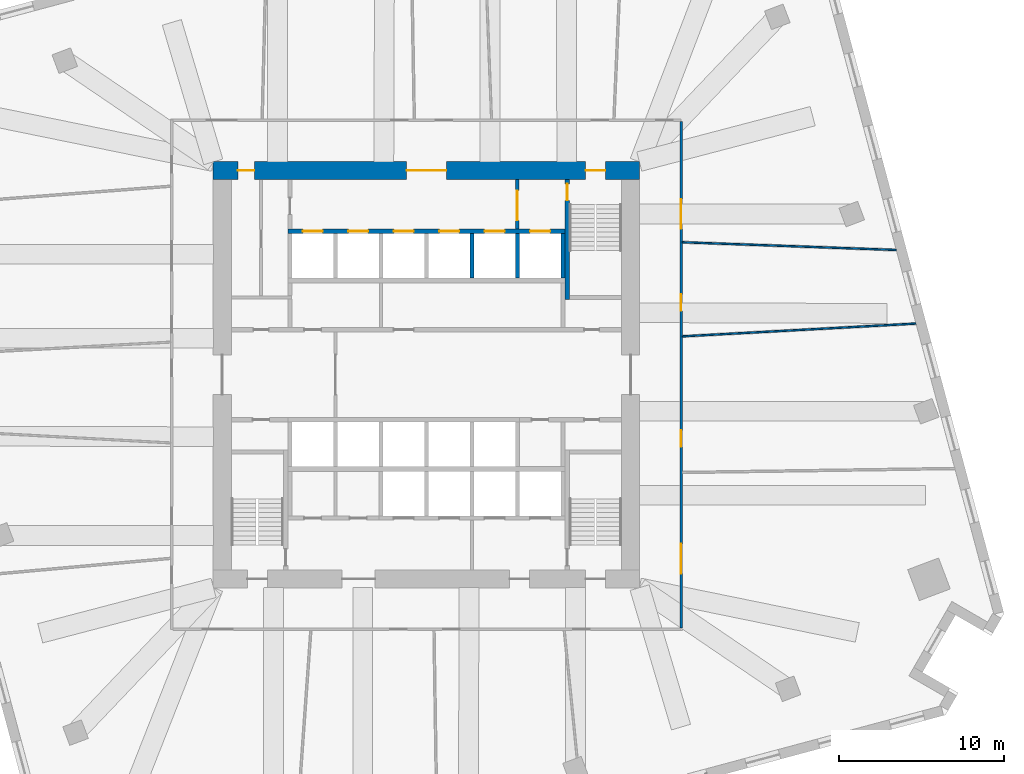
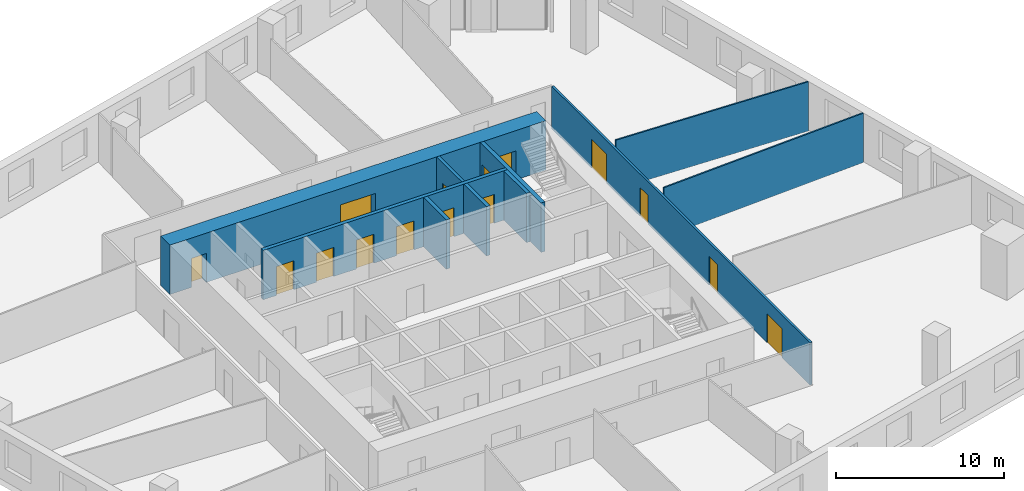
# One storey, part 7 of 11: 15 doors, 10 walls, 15 openings.
"""IFC4 building model written with IfcOpenShell, lengths in metres."""

from ifc_helpers import new_model, si_unit, direction, frame, frame_2d, origin, place, context, subcontext, project, spatial, rectangle, extrude, material, layer, layer_set, type_object, element, fill, save


model = new_model("IFC4")

# Units and contexts
model_context = context("Model", 3, precision=1e-05, world=origin(), true_north=direction((0.0, 1.0)))
body_context = subcontext(model_context, "Body", "Model", "MODEL_VIEW")
ifc_project = project(units=[si_unit("LENGTHUNIT", "METRE"), si_unit("AREAUNIT", "SQUARE_METRE"), si_unit("VOLUMEUNIT", "CUBIC_METRE"), si_unit("PLANEANGLEUNIT", "RADIAN"), si_unit("MASSUNIT", "GRAM", prefix="KILO")], contexts=[model_context])

# Site, building, storey
site_placement = place(None, origin())
site = spatial("IfcSite", under=ifc_project, at=site_placement, CompositionType="ELEMENT")
building_placement = place(site_placement, origin())
building = spatial("IfcBuilding", under=site, at=building_placement, Name="Dilmun Exchange Tower", CompositionType="ELEMENT")
storey_placement = place(building_placement, frame((0.0, 0.0, 82.10009765625)))
storey = spatial("IfcBuildingStorey", under=building, at=storey_placement, Name="L18", CompositionType="ELEMENT", Elevation=82.10009765625)

# Wall, opening, door
ifc_material_1 = material(Name="Concrete C40/50", Category="concrete")
ifc_layer_1 = layer(ifc_material_1, 0.199951171875)
ifc_layer_set_1 = layer_set([ifc_layer_1], Name="Concrete C40/50")
wall_type_1 = type_object("IfcWallType", Name="Core partition wall 200", PredefinedType="PARTITIONING", material=ifc_layer_set_1)
wall_1_placement = place(storey_placement, frame((5.5, 8.804931640625, 0.0), z_axis=(0.0, 0.0, 1.0), x_axis=(0.0, 1.0, 0.0)))
wall_1 = element("IfcWall", 1, at=wall_1_placement, inside=storey, type_object=wall_type_1, Name="L18 core partition wall 17", PredefinedType="PARTITIONING", context=body_context, shape_type="SweptSolid", body=[
    extrude(rectangle(XDim=2.989990234375, YDim=0.199951171875, at=frame_2d((1.4951171875, 0.0))), origin(), (0.0, 0.0, 1.0), 3.579833984375),
])
opening_1_placement = place(wall_1_placement, frame((0.532470703125, 0.0, 0.0)))
opening_1 = element("IfcOpeningElement", 2, at=opening_1_placement, cuts=wall_1, Name="Opening CD5", PredefinedType="OPENING", context=body_context, shape_type="SweptSolid", body=[
    extrude(rectangle(XDim=1.800048828125, YDim=2.10009765625, at=frame_2d((0.89990234375, 1.050048828125))), frame((0.0, 0.10986328125, 0.0), z_axis=(0.0, -1.0, 0.0), x_axis=(1.0, 0.0, 0.0)), (0.0, 0.0, 1.0), 0.219970703125),
])
ifc_material_2 = material(Name="Fire-rated steel door set", Category="steel")
door_type_1 = type_object("IfcDoorType", Name="Stair exit door 1800x2100", OperationType="SINGLE_SWING_LEFT", PredefinedType="DOOR", material=ifc_material_2)
door_1_placement = place(opening_1_placement, origin())
door_1 = element("IfcDoor", 3, at=door_1_placement, inside=storey, type_object=door_type_1, Name="L18 door Lift lobby east", OperationType="SINGLE_SWING_LEFT", OverallHeight=2.10009765625, OverallWidth=1.800048828125, PredefinedType="DOOR", context=body_context, shape_type="SweptSolid", body=[
    extrude(rectangle(XDim=1.800048828125, YDim=2.10009765625, at=frame_2d((0.89990234375, 1.050048828125))), frame((0.0, 0.02490234375, 0.0), z_axis=(0.0, -1.0, 0.0), x_axis=(1.0, 0.0, 0.0)), (0.0, 0.0, 1.0), 0.050048828125),
])
fill(opening_1, door_1)

# Wall, openings, doors
ifc_material_3 = material(Name="Concrete C80/95", Category="concrete")
ifc_layer_2 = layer(ifc_material_3, 1.10009765625)
ifc_layer_set_2 = layer_set([ifc_layer_2], Name="Concrete C80/95")
wall_type_2 = type_object("IfcWallType", Name="Core shear wall 1100 Concrete C80/95", PredefinedType="SHEAR", material=ifc_layer_set_2)
wall_2_placement = place(storey_placement, frame((-12.89990234375, 12.35009765625, 0.0), z_axis=(0.0, 0.0, 1.0), x_axis=(1.0, 0.0, 0.0)))
wall_2 = element("IfcWall", 4, at=wall_2_placement, inside=storey, type_object=wall_type_2, Name="L18 core shear wall N", PredefinedType="SHEAR", context=body_context, shape_type="SweptSolid", body=[
    extrude(rectangle(XDim=25.7998046875, YDim=1.10009765625, at=frame_2d((12.89990234375, 0.0))), origin(), (0.0, 0.0, 1.0), 3.579833984375),
])
opening_2_placement = place(wall_2_placement, frame((11.699951171875, 0.0, 0.0)))
opening_2 = element("IfcOpeningElement", 5, at=opening_2_placement, cuts=wall_2, Name="Opening CD1", PredefinedType="OPENING", context=body_context, shape_type="SweptSolid", body=[
    extrude(rectangle(XDim=2.39990234375, YDim=2.39990234375, at=frame_2d((1.199951171875, 1.199951171875))), frame((0.0, 0.56005859375, 0.0), z_axis=(0.0, -1.0, 0.0), x_axis=(1.0, 0.0, 0.0)), (0.0, 0.0, 1.0), 1.1201171875),
])
opening_3_placement = place(wall_2_placement, frame((22.52490234375, 0.0, 0.0)))
opening_3 = element("IfcOpeningElement", 6, at=opening_3_placement, cuts=wall_2, Name="Opening CD3", PredefinedType="OPENING", context=body_context, shape_type="SweptSolid", body=[
    extrude(rectangle(XDim=1.199951171875, YDim=2.10009765625, at=frame_2d((0.60009765625, 1.050048828125))), frame((0.0, 0.56005859375, 0.0), z_axis=(0.0, -1.0, 0.0), x_axis=(1.0, 0.0, 0.0)), (0.0, 0.0, 1.0), 1.1201171875),
])
opening_4_placement = place(wall_2_placement, frame((1.5, 0.0, 0.0)))
opening_4 = element("IfcOpeningElement", 7, at=opening_4_placement, cuts=wall_2, Name="Opening CD4", PredefinedType="OPENING", context=body_context, shape_type="SweptSolid", body=[
    extrude(rectangle(XDim=1.0, YDim=2.10009765625, at=frame_2d((0.5, 1.050048828125))), frame((0.0, 0.56005859375, 0.0), z_axis=(0.0, -1.0, 0.0), x_axis=(1.0, 0.0, 0.0)), (0.0, 0.0, 1.0), 1.1201171875),
])
door_type_2 = type_object("IfcDoorType", Name="Core lobby door 2400x2400", OperationType="DOUBLE_DOOR_DOUBLE_SWING", PredefinedType="DOOR", material=ifc_material_2)
door_2_placement = place(opening_2_placement, origin())
door_2 = element("IfcDoor", 8, at=door_2_placement, inside=storey, type_object=door_type_2, Name="L18 door North lift lobby", OperationType="SINGLE_SWING_LEFT", OverallHeight=2.39990234375, OverallWidth=2.39990234375, PredefinedType="DOOR", context=body_context, shape_type="SweptSolid", body=[
    extrude(rectangle(XDim=2.39990234375, YDim=2.39990234375, at=frame_2d((1.199951171875, 1.199951171875))), frame((0.0, 0.02490234375, 0.0), z_axis=(0.0, -1.0, 0.0), x_axis=(1.0, 0.0, 0.0)), (0.0, 0.0, 1.0), 0.050048828125),
])
fill(opening_2, door_2)
door_type_3 = type_object("IfcDoorType", Name="Core room door 1000x2100", OperationType="SINGLE_SWING_LEFT", PredefinedType="DOOR", material=ifc_material_2)
door_3_placement = place(opening_4_placement, origin())
door_3 = element("IfcDoor", 9, at=door_3_placement, inside=storey, type_object=door_type_3, Name="L18 door North-west core rooms", OperationType="SINGLE_SWING_LEFT", OverallHeight=2.10009765625, OverallWidth=1.0, PredefinedType="DOOR", context=body_context, shape_type="SweptSolid", body=[
    extrude(rectangle(XDim=1.0, YDim=2.10009765625, at=frame_2d((0.5, 1.050048828125))), frame((0.0, 0.02490234375, 0.0), z_axis=(0.0, -1.0, 0.0), x_axis=(1.0, 0.0, 0.0)), (0.0, 0.0, 1.0), 0.050048828125),
])
fill(opening_4, door_3)
door_type_4 = type_object("IfcDoorType", Name="Stair exit door 1200x2100", OperationType="SINGLE_SWING_LEFT", PredefinedType="DOOR", material=ifc_material_2)
door_4_placement = place(opening_3_placement, origin())
door_4 = element("IfcDoor", 10, at=door_4_placement, inside=storey, type_object=door_type_4, Name="L18 door Stair ST1", OperationType="SINGLE_SWING_LEFT", OverallHeight=2.10009765625, OverallWidth=1.199951171875, PredefinedType="DOOR", context=body_context, shape_type="SweptSolid", body=[
    extrude(rectangle(XDim=1.199951171875, YDim=2.10009765625, at=frame_2d((0.60009765625, 1.050048828125))), frame((0.0, 0.02490234375, 0.0), z_axis=(0.0, -1.0, 0.0), x_axis=(1.0, 0.0, 0.0)), (0.0, 0.0, 1.0), 0.050048828125),
])
fill(opening_3, door_4)

ifc_material_4 = material(Name="Corridor wall 150")
ifc_layer_3 = layer(ifc_material_4, 0.14990234375)
ifc_layer_set_3 = layer_set([ifc_layer_3], Name="Corridor wall 150")
wall_type_3 = type_object("IfcWallType", Name="Corridor wall 150", PredefinedType="PARTITIONING", material=ifc_layer_set_3)
wall_3_placement = place(storey_placement, frame((15.39990234375, -15.324951171875, 0.0), z_axis=(0.0, 0.0, 1.0), x_axis=(0.0, 1.0, 0.0)))
wall_3 = element("IfcWall", 11, at=wall_3_placement, inside=storey, type_object=wall_type_3, Name="Corridor wall", PredefinedType="PARTITIONING", context=body_context, shape_type="SweptSolid", body=[
    extrude(rectangle(XDim=30.64990234375, YDim=0.14990234375, at=frame_2d((15.324951171875, 0.0))), origin(), (0.0, 0.0, 1.0), 3.079833984375),
])
opening_5_placement = place(wall_3_placement, frame((24.1396484375, 0.0, 0.0)))
opening_5 = element("IfcOpeningElement", 12, at=opening_5_placement, cuts=wall_3, Name="Opening TF18-D14", PredefinedType="OPENING", context=body_context, shape_type="SweptSolid", body=[
    extrude(rectangle(XDim=1.800048828125, YDim=2.10009765625, at=frame_2d((0.89990234375, 1.050048828125))), frame((0.0, 0.0849609375, 0.0), z_axis=(0.0, -1.0, 0.0), x_axis=(1.0, 0.0, 0.0)), (0.0, 0.0, 1.0), 0.169921875),
])
opening_6_placement = place(wall_3_placement, frame((3.300048828125, 0.0, 0.0)))
opening_6 = element("IfcOpeningElement", 13, at=opening_6_placement, cuts=wall_3, Name="Opening TF18-D16", PredefinedType="OPENING", context=body_context, shape_type="SweptSolid", body=[
    extrude(rectangle(XDim=1.800048828125, YDim=2.10009765625, at=frame_2d((0.89990234375, 1.050048828125))), frame((0.0, 0.0849609375, 0.0), z_axis=(0.0, -1.0, 0.0), x_axis=(1.0, 0.0, 0.0)), (0.0, 0.0, 1.0), 0.169921875),
])
opening_7_placement = place(wall_3_placement, frame((19.19091796875, 0.0, 0.0)))
opening_7 = element("IfcOpeningElement", 14, at=opening_7_placement, cuts=wall_3, Name="Opening TF18-D18", PredefinedType="OPENING", context=body_context, shape_type="SweptSolid", body=[
    extrude(rectangle(XDim=1.0, YDim=2.10009765625, at=frame_2d((0.5, 1.050048828125))), frame((0.0, 0.0849609375, 0.0), z_axis=(0.0, -1.0, 0.0), x_axis=(1.0, 0.0, 0.0)), (0.0, 0.0, 1.0), 0.169921875),
])
opening_8_placement = place(wall_3_placement, frame((10.962646484375, 0.0, 0.0)))
opening_8 = element("IfcOpeningElement", 15, at=opening_8_placement, cuts=wall_3, Name="Opening TF18-D19", PredefinedType="OPENING", context=body_context, shape_type="SweptSolid", body=[
    extrude(rectangle(XDim=1.0, YDim=2.10009765625, at=frame_2d((0.5, 1.050048828125))), frame((0.0, 0.0849609375, 0.0), z_axis=(0.0, -1.0, 0.0), x_axis=(1.0, 0.0, 0.0)), (0.0, 0.0, 1.0), 0.169921875),
])
ifc_material_5 = material(Name="Fire door 1000 x 2100")
door_type_5 = type_object("IfcDoorType", Name="Fire door 1000 x 2100", OperationType="NOTDEFINED", PredefinedType="DOOR", material=ifc_material_5)
door_5_placement = place(opening_7_placement, frame((1.0, 0.0, 0.0), z_axis=(0.0, 0.0, 1.0), x_axis=(-1.0, 0.0, 0.0)))
door_5 = element("IfcDoor", 16, at=door_5_placement, inside=storey, type_object=door_type_5, Name="Door TF18-D18", OperationType="SINGLE_SWING_RIGHT", OverallHeight=2.10009765625, OverallWidth=1.0, PredefinedType="DOOR", context=body_context, shape_type="SweptSolid", body=[
    extrude(rectangle(XDim=1.0, YDim=2.10009765625, at=frame_2d((0.5, 1.050048828125))), frame((0.0, 0.02490234375, 0.0), z_axis=(0.0, -1.0, 0.0), x_axis=(1.0, 0.0, 0.0)), (0.0, 0.0, 1.0), 0.050048828125),
])
fill(opening_7, door_5)
door_6_placement = place(opening_8_placement, frame((1.0, 0.0, 0.0), z_axis=(0.0, 0.0, 1.0), x_axis=(-1.0, 0.0, 0.0)))
door_6 = element("IfcDoor", 17, at=door_6_placement, inside=storey, type_object=door_type_5, Name="Door TF18-D19", OperationType="SINGLE_SWING_RIGHT", OverallHeight=2.10009765625, OverallWidth=1.0, PredefinedType="DOOR", context=body_context, shape_type="SweptSolid", body=[
    extrude(rectangle(XDim=1.0, YDim=2.10009765625, at=frame_2d((0.5, 1.050048828125))), frame((0.0, 0.02490234375, 0.0), z_axis=(0.0, -1.0, 0.0), x_axis=(1.0, 0.0, 0.0)), (0.0, 0.0, 1.0), 0.050048828125),
])
fill(opening_8, door_6)
ifc_material_6 = material(Name="Fire door pair 1800 x 2100")
door_type_6 = type_object("IfcDoorType", Name="Fire door pair 1800 x 2100", OperationType="NOTDEFINED", PredefinedType="DOOR", material=ifc_material_6)
door_7_placement = place(opening_5_placement, frame((1.800048828125, 0.0, 0.0), z_axis=(0.0, 0.0, 1.0), x_axis=(-1.0, 0.0, 0.0)))
door_7 = element("IfcDoor", 18, at=door_7_placement, inside=storey, type_object=door_type_6, Name="Door TF18-D14", OperationType="DOUBLE_DOOR_SINGLE_SWING", OverallHeight=2.10009765625, OverallWidth=1.800048828125, PredefinedType="DOOR", context=body_context, shape_type="SweptSolid", body=[
    extrude(rectangle(XDim=1.800048828125, YDim=2.10009765625, at=frame_2d((0.89990234375, 1.050048828125))), frame((0.0, 0.02490234375, 0.0), z_axis=(0.0, -1.0, 0.0), x_axis=(1.0, 0.0, 0.0)), (0.0, 0.0, 1.0), 0.050048828125),
])
fill(opening_5, door_7)
door_8_placement = place(opening_6_placement, frame((1.800048828125, 0.0, 0.0), z_axis=(0.0, 0.0, 1.0), x_axis=(-1.0, 0.0, 0.0)))
door_8 = element("IfcDoor", 19, at=door_8_placement, inside=storey, type_object=door_type_6, Name="Door TF18-D16", OperationType="DOUBLE_DOOR_SINGLE_SWING", OverallHeight=2.10009765625, OverallWidth=1.800048828125, PredefinedType="DOOR", context=body_context, shape_type="SweptSolid", body=[
    extrude(rectangle(XDim=1.800048828125, YDim=2.10009765625, at=frame_2d((0.89990234375, 1.050048828125))), frame((0.0, 0.02490234375, 0.0), z_axis=(0.0, -1.0, 0.0), x_axis=(1.0, 0.0, 0.0)), (0.0, 0.0, 1.0), 0.050048828125),
])
fill(opening_6, door_8)

ifc_layer_4 = layer(ifc_material_1, 0.25)
ifc_layer_set_4 = layer_set([ifc_layer_4], Name="Concrete C40/50")
wall_type_4 = type_object("IfcWallType", Name="Lift shaft wall 250", PredefinedType="SOLIDWALL", material=ifc_layer_set_4)
wall_4_placement = place(storey_placement, frame((-8.375, 8.675048828125, 0.0), z_axis=(0.0, 0.0, 1.0), x_axis=(1.0, 0.0, 0.0)))
wall_4 = element("IfcWall", 20, at=wall_4_placement, inside=storey, type_object=wall_type_4, Name="L18 lift shaft front wall N2", PredefinedType="SOLIDWALL", context=body_context, shape_type="SweptSolid", body=[
    extrude(rectangle(XDim=16.75, YDim=0.25, at=frame_2d((8.375, 0.0))), origin(), (0.0, 0.0, 1.0), 3.579833984375),
])
opening_9_placement = place(wall_4_placement, frame((0.89990234375, 0.0, 0.0)))
opening_9 = element("IfcOpeningElement", 21, at=opening_9_placement, cuts=wall_4, Name="Opening LD", PredefinedType="OPENING", context=body_context, shape_type="SweptSolid", body=[
    extrude(rectangle(XDim=1.199951171875, YDim=2.10009765625, at=frame_2d((0.60009765625, 1.050048828125))), frame((0.0, 0.135009765625, 0.0), z_axis=(0.0, -1.0, 0.0), x_axis=(1.0, 0.0, 0.0)), (0.0, 0.0, 1.0), 0.27001953125),
])
opening_10_placement = place(wall_4_placement, frame((3.64990234375, 0.0, 0.0)))
opening_10 = element("IfcOpeningElement", 22, at=opening_10_placement, cuts=wall_4, Name="Opening LD", PredefinedType="OPENING", context=body_context, shape_type="SweptSolid", body=[
    extrude(rectangle(XDim=1.199951171875, YDim=2.10009765625, at=frame_2d((0.60009765625, 1.050048828125))), frame((0.0, 0.135009765625, 0.0), z_axis=(0.0, -1.0, 0.0), x_axis=(1.0, 0.0, 0.0)), (0.0, 0.0, 1.0), 0.27001953125),
])
opening_11_placement = place(wall_4_placement, frame((6.39990234375, 0.0, 0.0)))
opening_11 = element("IfcOpeningElement", 23, at=opening_11_placement, cuts=wall_4, Name="Opening LD", PredefinedType="OPENING", context=body_context, shape_type="SweptSolid", body=[
    extrude(rectangle(XDim=1.199951171875, YDim=2.10009765625, at=frame_2d((0.60009765625, 1.050048828125))), frame((0.0, 0.135009765625, 0.0), z_axis=(0.0, -1.0, 0.0), x_axis=(1.0, 0.0, 0.0)), (0.0, 0.0, 1.0), 0.27001953125),
])
opening_12_placement = place(wall_4_placement, frame((9.14990234375, 0.0, 0.0)))
opening_12 = element("IfcOpeningElement", 24, at=opening_12_placement, cuts=wall_4, Name="Opening LD", PredefinedType="OPENING", context=body_context, shape_type="SweptSolid", body=[
    extrude(rectangle(XDim=1.199951171875, YDim=2.10009765625, at=frame_2d((0.60009765625, 1.050048828125))), frame((0.0, 0.135009765625, 0.0), z_axis=(0.0, -1.0, 0.0), x_axis=(1.0, 0.0, 0.0)), (0.0, 0.0, 1.0), 0.27001953125),
])
opening_13_placement = place(wall_4_placement, frame((11.89990234375, 0.0, 0.0)))
opening_13 = element("IfcOpeningElement", 25, at=opening_13_placement, cuts=wall_4, Name="Opening LD", PredefinedType="OPENING", context=body_context, shape_type="SweptSolid", body=[
    extrude(rectangle(XDim=1.199951171875, YDim=2.10009765625, at=frame_2d((0.60009765625, 1.050048828125))), frame((0.0, 0.135009765625, 0.0), z_axis=(0.0, -1.0, 0.0), x_axis=(1.0, 0.0, 0.0)), (0.0, 0.0, 1.0), 0.27001953125),
])
opening_14_placement = place(wall_4_placement, frame((14.64990234375, 0.0, 0.0)))
opening_14 = element("IfcOpeningElement", 26, at=opening_14_placement, cuts=wall_4, Name="Opening LD", PredefinedType="OPENING", context=body_context, shape_type="SweptSolid", body=[
    extrude(rectangle(XDim=1.199951171875, YDim=2.10009765625, at=frame_2d((0.60009765625, 1.050048828125))), frame((0.0, 0.135009765625, 0.0), z_axis=(0.0, -1.0, 0.0), x_axis=(1.0, 0.0, 0.0)), (0.0, 0.0, 1.0), 0.27001953125),
])
door_type_7 = type_object("IfcDoorType", Name="Lift landing door 1200x2100", OperationType="DOUBLE_DOOR_SLIDING", PredefinedType="DOOR", material=ifc_material_2)
door_9_placement = place(opening_9_placement, origin())
door_9 = element("IfcDoor", 27, at=door_9_placement, inside=storey, type_object=door_type_7, Name="L18 landing door LR1", OperationType="DOUBLE_DOOR_SLIDING", OverallHeight=2.10009765625, OverallWidth=1.199951171875, PredefinedType="DOOR", context=body_context, shape_type="SweptSolid", body=[
    extrude(rectangle(XDim=1.199951171875, YDim=2.10009765625, at=frame_2d((0.60009765625, 1.050048828125))), frame((0.0, 0.02490234375, 0.0), z_axis=(0.0, -1.0, 0.0), x_axis=(1.0, 0.0, 0.0)), (0.0, 0.0, 1.0), 0.050048828125),
])
fill(opening_9, door_9)
door_10_placement = place(opening_10_placement, origin())
door_10 = element("IfcDoor", 28, at=door_10_placement, inside=storey, type_object=door_type_7, Name="L18 landing door LR2", OperationType="DOUBLE_DOOR_SLIDING", OverallHeight=2.10009765625, OverallWidth=1.199951171875, PredefinedType="DOOR", context=body_context, shape_type="SweptSolid", body=[
    extrude(rectangle(XDim=1.199951171875, YDim=2.10009765625, at=frame_2d((0.60009765625, 1.050048828125))), frame((0.0, 0.02490234375, 0.0), z_axis=(0.0, -1.0, 0.0), x_axis=(1.0, 0.0, 0.0)), (0.0, 0.0, 1.0), 0.050048828125),
])
fill(opening_10, door_10)
door_11_placement = place(opening_11_placement, origin())
door_11 = element("IfcDoor", 29, at=door_11_placement, inside=storey, type_object=door_type_7, Name="L18 landing door LR3", OperationType="DOUBLE_DOOR_SLIDING", OverallHeight=2.10009765625, OverallWidth=1.199951171875, PredefinedType="DOOR", context=body_context, shape_type="SweptSolid", body=[
    extrude(rectangle(XDim=1.199951171875, YDim=2.10009765625, at=frame_2d((0.60009765625, 1.050048828125))), frame((0.0, 0.02490234375, 0.0), z_axis=(0.0, -1.0, 0.0), x_axis=(1.0, 0.0, 0.0)), (0.0, 0.0, 1.0), 0.050048828125),
])
fill(opening_11, door_11)
door_12_placement = place(opening_12_placement, origin())
door_12 = element("IfcDoor", 30, at=door_12_placement, inside=storey, type_object=door_type_7, Name="L18 landing door LR4", OperationType="DOUBLE_DOOR_SLIDING", OverallHeight=2.10009765625, OverallWidth=1.199951171875, PredefinedType="DOOR", context=body_context, shape_type="SweptSolid", body=[
    extrude(rectangle(XDim=1.199951171875, YDim=2.10009765625, at=frame_2d((0.60009765625, 1.050048828125))), frame((0.0, 0.02490234375, 0.0), z_axis=(0.0, -1.0, 0.0), x_axis=(1.0, 0.0, 0.0)), (0.0, 0.0, 1.0), 0.050048828125),
])
fill(opening_12, door_12)
door_13_placement = place(opening_13_placement, origin())
door_13 = element("IfcDoor", 31, at=door_13_placement, inside=storey, type_object=door_type_7, Name="L18 landing door LR5", OperationType="DOUBLE_DOOR_SLIDING", OverallHeight=2.10009765625, OverallWidth=1.199951171875, PredefinedType="DOOR", context=body_context, shape_type="SweptSolid", body=[
    extrude(rectangle(XDim=1.199951171875, YDim=2.10009765625, at=frame_2d((0.60009765625, 1.050048828125))), frame((0.0, 0.02490234375, 0.0), z_axis=(0.0, -1.0, 0.0), x_axis=(1.0, 0.0, 0.0)), (0.0, 0.0, 1.0), 0.050048828125),
])
fill(opening_13, door_13)
door_14_placement = place(opening_14_placement, origin())
door_14 = element("IfcDoor", 32, at=door_14_placement, inside=storey, type_object=door_type_7, Name="L18 landing door LR6", OperationType="DOUBLE_DOOR_SLIDING", OverallHeight=2.10009765625, OverallWidth=1.199951171875, PredefinedType="DOOR", context=body_context, shape_type="SweptSolid", body=[
    extrude(rectangle(XDim=1.199951171875, YDim=2.10009765625, at=frame_2d((0.60009765625, 1.050048828125))), frame((0.0, 0.02490234375, 0.0), z_axis=(0.0, -1.0, 0.0), x_axis=(1.0, 0.0, 0.0)), (0.0, 0.0, 1.0), 0.050048828125),
])
fill(opening_14, door_14)

# Walls
for number, where, z_axis, x_axis, name in (
    (33, (2.75, 5.85009765625, 0.0), (0.0, 0.0, 1.0), (0.0, 1.0, 0.0), "L18 lift shaft divider N24"),
    (34, (5.5, 5.85009765625, 0.0), (0.0, 0.0, 1.0), (0.0, 1.0, 0.0), "L18 lift shaft divider N25"),
    (35, (8.25, 5.85009765625, 0.0), (0.0, 0.0, 1.0), (0.0, 1.0, 0.0), "L18 lift shaft divider N26"),
):
    element("IfcWall", number, at=place(storey_placement, frame(where, z_axis=z_axis, x_axis=x_axis)), inside=storey, type_object=wall_type_4, Name=name, PredefinedType="SOLIDWALL", context=body_context, shape_type="SweptSolid", body=[
        extrude(rectangle(XDim=2.699951171875, YDim=0.25, at=frame_2d((1.35009765625, 0.0))), origin(), (0.0, 0.0, 1.0), 3.579833984375),
    ])
ifc_material_7 = material(Name="Partition 100")
ifc_layer_5 = layer(ifc_material_7, 0.10009765625)
ifc_layer_set_5 = layer_set([ifc_layer_5], Name="Partition 100")
wall_type_5 = type_object("IfcWallType", Name="Partition 100", PredefinedType="PARTITIONING", material=ifc_layer_set_5)
wall_5_placement = place(storey_placement, frame((15.477783203125, 2.3203125, 0.0), z_axis=(0.0, 0.0, 1.0), x_axis=(0.998502061924, 0.054714096293, 0.0)))
element("IfcWall", 36, at=wall_5_placement, inside=storey, type_object=wall_type_5, Name="Partition", PredefinedType="PARTITIONING", context=body_context, shape_type="SweptSolid", body=[
    extrude(rectangle(XDim=14.1494140625, YDim=0.10009765625, at=frame_2d((7.07470703125, 0.0))), origin(), (0.0, 0.0, 1.0), 3.579833984375),
])
wall_6_placement = place(storey_placement, frame((15.476806640625, 8.01318359375, 0.0), z_axis=(0.0, 0.0, 1.0), x_axis=(0.999348235862, -0.036098524609, 0.0)))
element("IfcWall", 37, at=wall_6_placement, inside=storey, type_object=wall_type_5, Name="Partition", PredefinedType="PARTITIONING", context=body_context, shape_type="SweptSolid", body=[
    extrude(rectangle(XDim=12.94482421875, YDim=0.10009765625, at=frame_2d((6.472412109375, 0.0))), origin(), (0.0, 0.0, 1.0), 3.579833984375),
])

# Wall, opening, door
ifc_layer_6 = layer(ifc_material_1, 0.27490234375)
ifc_layer_set_6 = layer_set([ifc_layer_6], Name="Concrete C40/50")
wall_type_6 = type_object("IfcWallType", Name="Stair wall 275", PredefinedType="SOLIDWALL", material=ifc_layer_set_6)
wall_7_placement = place(storey_placement, frame((8.512451171875, 4.550048828125, 0.0), z_axis=(0.0, 0.0, 1.0), x_axis=(0.0, 1.0, 0.0)))
wall_7 = element("IfcWall", 38, at=wall_7_placement, inside=storey, type_object=wall_type_6, Name="L18 ST1 wall to lift block", PredefinedType="SOLIDWALL", context=body_context, shape_type="SweptSolid", body=[
    extrude(rectangle(XDim=7.25, YDim=0.27490234375, at=frame_2d((3.625, 0.0))), origin(), (0.0, 0.0, 1.0), 3.579833984375),
])
opening_15_placement = place(wall_7_placement, frame((6.0, 0.0, 0.0)))
opening_15 = element("IfcOpeningElement", 39, at=opening_15_placement, cuts=wall_7, Name="Opening CD4", PredefinedType="OPENING", context=body_context, shape_type="SweptSolid", body=[
    extrude(rectangle(XDim=1.0, YDim=2.10009765625, at=frame_2d((0.5, 1.050048828125))), frame((0.0, 0.1474609375, 0.0), z_axis=(0.0, -1.0, 0.0), x_axis=(1.0, 0.0, 0.0)), (0.0, 0.0, 1.0), 0.294921875),
])
door_15_placement = place(opening_15_placement, origin())
door_15 = element("IfcDoor", 40, at=door_15_placement, inside=storey, type_object=door_type_3, Name="L18 door ST1 from lobby", OperationType="SINGLE_SWING_LEFT", OverallHeight=2.10009765625, OverallWidth=1.0, PredefinedType="DOOR", context=body_context, shape_type="SweptSolid", body=[
    extrude(rectangle(XDim=1.0, YDim=2.10009765625, at=frame_2d((0.5, 1.050048828125))), frame((0.0, 0.02490234375, 0.0), z_axis=(0.0, -1.0, 0.0), x_axis=(1.0, 0.0, 0.0)), (0.0, 0.0, 1.0), 0.050048828125),
])
fill(opening_15, door_15)

save(model, "model.ifc")
